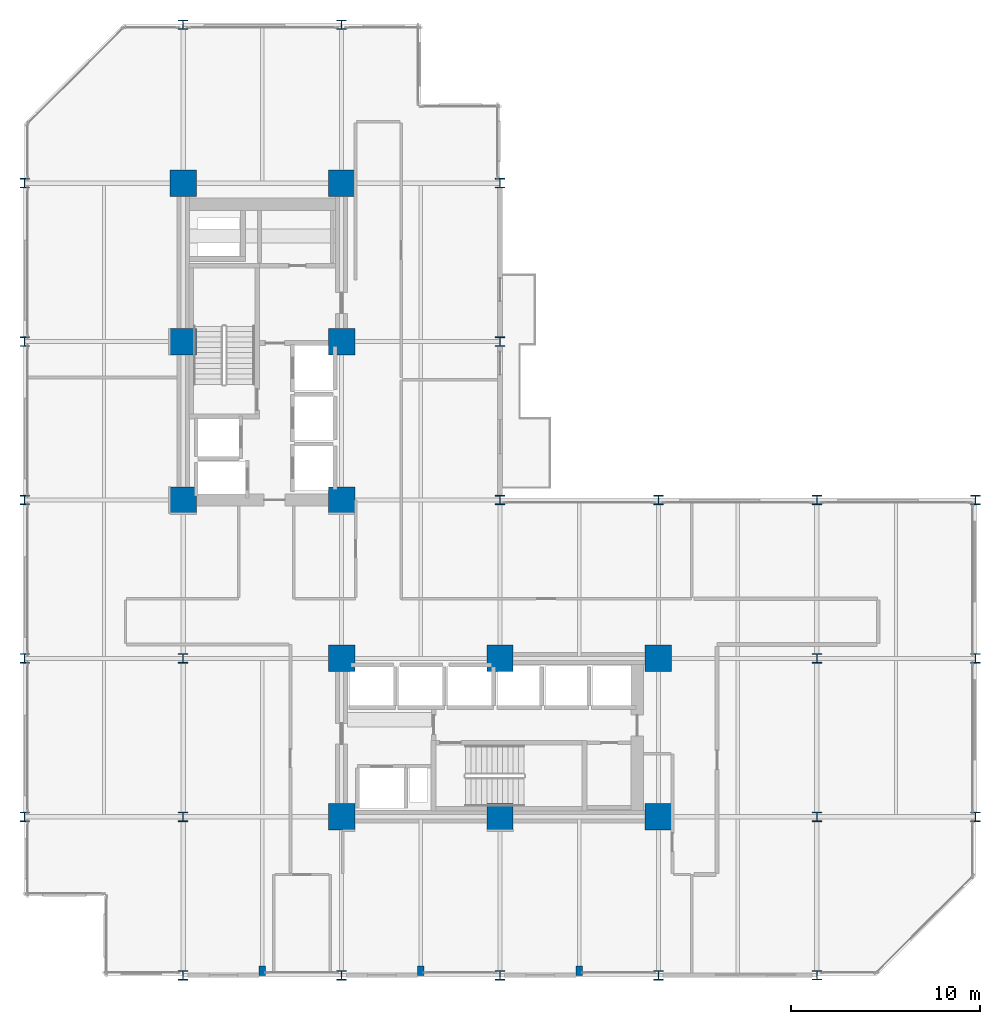
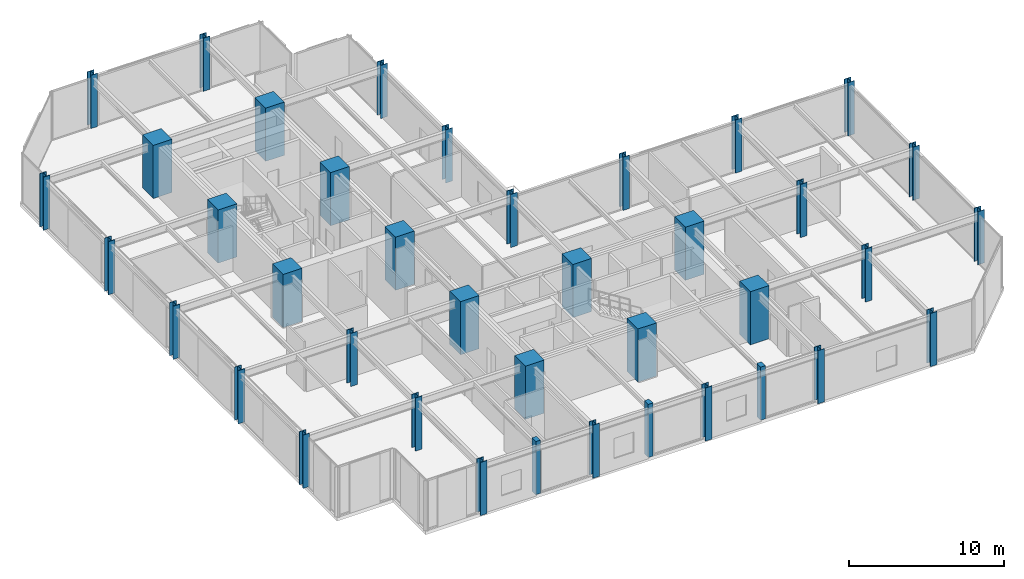
# One storey, part 1 of 24: 39 columns.
"""IFC4 building model written with IfcOpenShell, lengths in metres."""

from ifc_helpers import new_model, si_unit, direction, frame, origin, origin_2d, place, context, subcontext, project, spatial, rectangle, i_section, extrude, material, material_profile, profile_set, type_object, element, save


model = new_model("IFC4")

# Units and contexts
model_context = context("Model", 3, precision=1e-05, world=origin(), true_north=direction((0.0, 1.0)))
body_context = subcontext(model_context, "Body", "Model", "MODEL_VIEW")
ifc_project = project(units=[si_unit("LENGTHUNIT", "METRE"), si_unit("AREAUNIT", "SQUARE_METRE"), si_unit("VOLUMEUNIT", "CUBIC_METRE"), si_unit("PLANEANGLEUNIT", "RADIAN"), si_unit("MASSUNIT", "GRAM", prefix="KILO")], contexts=[model_context])

# Site, building, storey
site_placement = place(None, origin())
site = spatial("IfcSite", under=ifc_project, at=site_placement, CompositionType="ELEMENT")
building_placement = place(site_placement, origin())
building = spatial("IfcBuilding", under=site, at=building_placement, Name="Nerrivon Quay Data Exchange", CompositionType="ELEMENT")
storey_placement = place(building_placement, frame((0.0, 0.0, 33.199951171875)))
storey = spatial("IfcBuildingStorey", under=building, at=storey_placement, Name="L07", CompositionType="ELEMENT", Elevation=33.199951171875)

# Columns
ifc_material_1 = material(Name="Concrete N80 (80 MPa)", Category="concrete")
ifc_material_profile_1 = material_profile(ifc_material_1, rectangle(XDim=1.39990234375, YDim=1.39990234375, at=origin_2d()), Name="RC-COL-1400x1400")
ifc_profile_set_1 = profile_set([ifc_material_profile_1], Name="Concrete N80 (80 MPa)")
column_type_1 = type_object("IfcColumnType", Name="COL-C2-1400", PredefinedType="COLUMN", material=ifc_profile_set_1)
for number, where, z_axis, x_axis, name in (
    (1, (8.39990234375, 25.199951171875, 0.0), (0.0, 0.0, 1.0), (1.0, 0.0, 0.0), "L07 Column (8.4,25.2)"),
    (2, (8.39990234375, 33.60009765625, 0.0), (0.0, 0.0, 1.0), (1.0, 0.0, 0.0), "L07 Column (8.4,33.6)"),
    (3, (8.39990234375, 42.0, 0.0), (0.0, 0.0, 1.0), (1.0, 0.0, 0.0), "L07 Column (8.4,42.0)"),
    (4, (16.800048828125, 8.39990234375, 0.0), (0.0, 0.0, 1.0), (1.0, 0.0, 0.0), "L07 Column (16.8,8.4)"),
    (5, (16.800048828125, 16.800048828125, 0.0), (0.0, 0.0, 1.0), (1.0, 0.0, 0.0), "L07 Column (16.8,16.8)"),
    (6, (16.800048828125, 25.199951171875, 0.0), (0.0, 0.0, 1.0), (1.0, 0.0, 0.0), "L07 Column (16.8,25.2)"),
    (7, (16.800048828125, 33.60009765625, 0.0), (0.0, 0.0, 1.0), (1.0, 0.0, 0.0), "L07 Column (16.8,33.6)"),
    (8, (16.800048828125, 42.0, 0.0), (0.0, 0.0, 1.0), (1.0, 0.0, 0.0), "L07 Column (16.8,42.0)"),
    (9, (25.199951171875, 8.39990234375, 0.0), (0.0, 0.0, 1.0), (1.0, 0.0, 0.0), "L07 Column (25.2,8.4)"),
    (10, (25.199951171875, 16.800048828125, 0.0), (0.0, 0.0, 1.0), (1.0, 0.0, 0.0), "L07 Column (25.2,16.8)"),
    (11, (33.60009765625, 8.39990234375, 0.0), (0.0, 0.0, 1.0), (1.0, 0.0, 0.0), "L07 Column (33.6,8.4)"),
    (12, (33.60009765625, 16.800048828125, 0.0), (0.0, 0.0, 1.0), (1.0, 0.0, 0.0), "L07 Column (33.6,16.8)"),
):
    element("IfcColumn", number, at=place(storey_placement, frame(where, z_axis=z_axis, x_axis=x_axis)), inside=storey, type_object=column_type_1, Name=name, PredefinedType="COLUMN", context=body_context, shape_type="SweptSolid", body=[
        extrude(rectangle(XDim=1.39990234375, YDim=1.39990234375, at=origin_2d()), origin(), (0.0, 0.0, 1.0), 4.199951171875),
    ])
ifc_material_2 = material(Name="Steel Grade 350", Category="steel")
ifc_material_profile_2 = material_profile(ifc_material_2, i_section(OverallWidth=0.5, OverallDepth=0.5, WebThickness=0.028076171875, FlangeThickness=0.0400390625, at=origin_2d()), Name="500WC440")
ifc_profile_set_2 = profile_set([ifc_material_profile_2], Name="Steel Grade 350")
column_type_2 = type_object("IfcColumnType", Name="COL-SC1-500WC", PredefinedType="COLUMN", material=ifc_profile_set_2)
for number, where, z_axis, x_axis, name in (
    (13, (0.0, 8.39990234375, 0.0), (0.0, 0.0, 1.0), (1.0, 0.0, 0.0), "L07 Column (0.0,8.4)"),
    (14, (0.0, 16.800048828125, 0.0), (0.0, 0.0, 1.0), (1.0, 0.0, 0.0), "L07 Column (0.0,16.8)"),
    (15, (0.0, 25.199951171875, 0.0), (0.0, 0.0, 1.0), (1.0, 0.0, 0.0), "L07 Column (0.0,25.2)"),
    (16, (0.0, 33.60009765625, 0.0), (0.0, 0.0, 1.0), (1.0, 0.0, 0.0), "L07 Column (0.0,33.6)"),
    (17, (0.0, 42.0, 0.0), (0.0, 0.0, 1.0), (1.0, 0.0, 0.0), "L07 Column (0.0,42.0)"),
    (18, (8.39990234375, 0.0, 0.0), (0.0, 0.0, 1.0), (1.0, 0.0, 0.0), "L07 Column (8.4,0.0)"),
    (19, (8.39990234375, 8.39990234375, 0.0), (0.0, 0.0, 1.0), (1.0, 0.0, 0.0), "L07 Column (8.4,8.4)"),
    (20, (8.39990234375, 16.800048828125, 0.0), (0.0, 0.0, 1.0), (1.0, 0.0, 0.0), "L07 Column (8.4,16.8)"),
    (21, (8.39990234375, 50.39990234375, 0.0), (0.0, 0.0, 1.0), (1.0, 0.0, 0.0), "L07 Column (8.4,50.4)"),
    (22, (16.800048828125, 0.0, 0.0), (0.0, 0.0, 1.0), (1.0, 0.0, 0.0), "L07 Column (16.8,0.0)"),
    (23, (16.800048828125, 50.39990234375, 0.0), (0.0, 0.0, 1.0), (1.0, 0.0, 0.0), "L07 Column (16.8,50.4)"),
    (24, (25.199951171875, 0.0, 0.0), (0.0, 0.0, 1.0), (1.0, 0.0, 0.0), "L07 Column (25.2,0.0)"),
    (25, (25.199951171875, 25.199951171875, 0.0), (0.0, 0.0, 1.0), (1.0, 0.0, 0.0), "L07 Column (25.2,25.2)"),
    (26, (25.199951171875, 33.60009765625, 0.0), (0.0, 0.0, 1.0), (1.0, 0.0, 0.0), "L07 Column (25.2,33.6)"),
    (27, (25.199951171875, 42.0, 0.0), (0.0, 0.0, 1.0), (1.0, 0.0, 0.0), "L07 Column (25.2,42.0)"),
    (28, (33.60009765625, 0.0, 0.0), (0.0, 0.0, 1.0), (1.0, 0.0, 0.0), "L07 Column (33.6,0.0)"),
    (29, (33.60009765625, 25.199951171875, 0.0), (0.0, 0.0, 1.0), (1.0, 0.0, 0.0), "L07 Column (33.6,25.2)"),
    (30, (42.0, 0.0, 0.0), (0.0, 0.0, 1.0), (1.0, 0.0, 0.0), "L07 Column (42.0,0.0)"),
    (31, (42.0, 8.39990234375, 0.0), (0.0, 0.0, 1.0), (1.0, 0.0, 0.0), "L07 Column (42.0,8.4)"),
    (32, (42.0, 16.800048828125, 0.0), (0.0, 0.0, 1.0), (1.0, 0.0, 0.0), "L07 Column (42.0,16.8)"),
    (33, (42.0, 25.199951171875, 0.0), (0.0, 0.0, 1.0), (1.0, 0.0, 0.0), "L07 Column (42.0,25.2)"),
    (34, (50.39990234375, 8.39990234375, 0.0), (0.0, 0.0, 1.0), (1.0, 0.0, 0.0), "L07 Column (50.4,8.4)"),
    (35, (50.39990234375, 16.800048828125, 0.0), (0.0, 0.0, 1.0), (1.0, 0.0, 0.0), "L07 Column (50.4,16.8)"),
    (36, (50.39990234375, 25.199951171875, 0.0), (0.0, 0.0, 1.0), (1.0, 0.0, 0.0), "L07 Column (50.4,25.2)"),
):
    element("IfcColumn", number, at=place(storey_placement, frame(where, z_axis=z_axis, x_axis=x_axis)), inside=storey, type_object=column_type_2, Name=name, PredefinedType="COLUMN", context=body_context, shape_type="SweptSolid", body=[
        extrude(i_section(OverallWidth=0.5, OverallDepth=0.5, WebThickness=0.028076171875, FlangeThickness=0.0400390625, at=origin_2d()), origin(), (0.0, 0.0, 1.0), 4.199951171875),
    ])
ifc_material_3 = material(Name="Concrete N50 (50 MPa)", Category="concrete")
ifc_material_profile_3 = material_profile(ifc_material_3, rectangle(XDim=0.35009765625, YDim=0.5, at=origin_2d()), Name="RC-PIL-500x350")
ifc_profile_set_3 = profile_set([ifc_material_profile_3], Name="Concrete N50 (50 MPa)")
column_type_3 = type_object("IfcColumnType", Name="PIL-P2-500x350", PredefinedType="PILASTER", material=ifc_profile_set_3)
for number, where, z_axis, x_axis, name in (
    (37, (12.60009765625, 0.25, 0.0), (0.0, 0.0, 1.0), (1.0, 0.0, 0.0), "L07 Facade Pilaster (12.6)"),
    (38, (21.0, 0.25, 0.0), (0.0, 0.0, 1.0), (1.0, 0.0, 0.0), "L07 Facade Pilaster (21.0)"),
    (39, (29.39990234375, 0.25, 0.0), (0.0, 0.0, 1.0), (1.0, 0.0, 0.0), "L07 Facade Pilaster (29.4)"),
):
    element("IfcColumn", number, at=place(storey_placement, frame(where, z_axis=z_axis, x_axis=x_axis)), inside=storey, type_object=column_type_3, Name=name, PredefinedType="PILASTER", context=body_context, shape_type="SweptSolid", body=[
        extrude(rectangle(XDim=0.35009765625, YDim=0.5, at=origin_2d()), origin(), (0.0, 0.0, 1.0), 4.199951171875),
    ])

save(model, "model.ifc")
